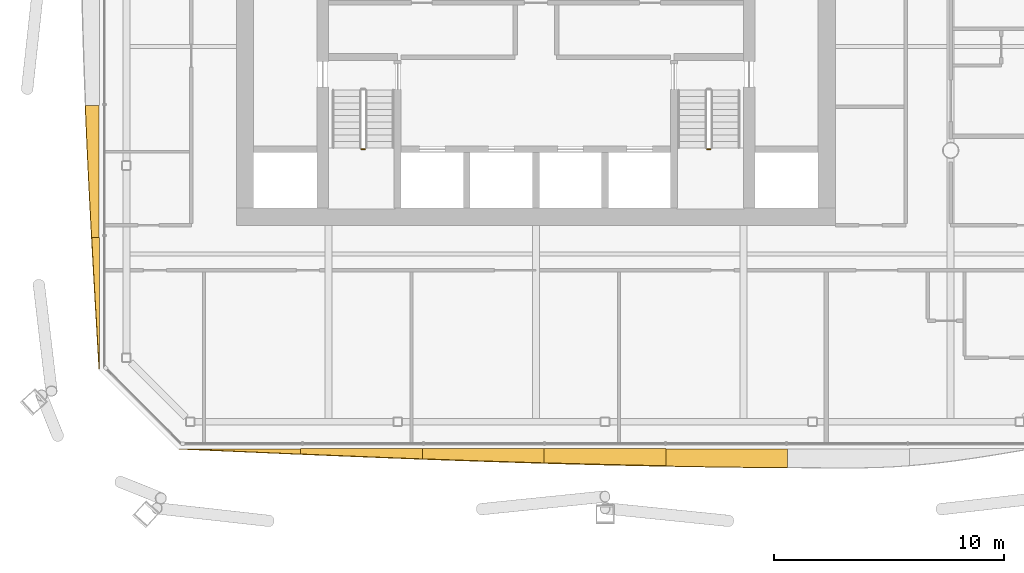
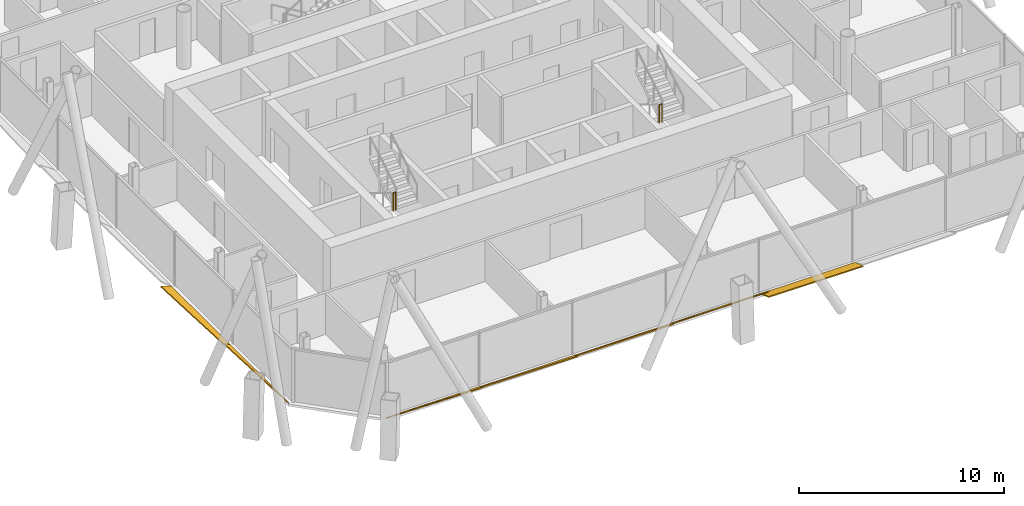
# One storey, part 18 of 20: 7 shading devices, 2 railings.
"""IFC4 building model written with IfcOpenShell, lengths in metres."""

from ifc_helpers import new_model, si_unit, direction, frame, origin, origin_2d, place, context, subcontext, project, spatial, polyline, circle, outline, extrude, material, layer, layer_set, type_object, element, save


model = new_model("IFC4")

# Units and contexts
model_context = context("Model", 3, precision=1e-05, world=origin(), true_north=direction((0.0, 1.0)))
body_context = subcontext(model_context, "Body", "Model", "MODEL_VIEW")
ifc_project = project(units=[si_unit("LENGTHUNIT", "METRE"), si_unit("AREAUNIT", "SQUARE_METRE"), si_unit("VOLUMEUNIT", "CUBIC_METRE"), si_unit("PLANEANGLEUNIT", "RADIAN"), si_unit("MASSUNIT", "GRAM", prefix="KILO")], contexts=[model_context])

# Site, building, storey
site_placement = place(None, origin())
site = spatial("IfcSite", under=ifc_project, at=site_placement, CompositionType="ELEMENT")
building_placement = place(site_placement, origin())
building = spatial("IfcBuilding", under=site, at=building_placement, Name="Tskaro Facet Tower", CompositionType="ELEMENT")
storey_placement = place(building_placement, frame((0.0, 0.0, 152.10009765625)))
storey = spatial("IfcBuildingStorey", under=building, at=storey_placement, Name="L37", CompositionType="ELEMENT", Elevation=152.10009765625)

# Shading devices
ifc_material_1 = material(Name="Bronze anodised aluminium 6063-T6", Category="aluminium")
ifc_layer = layer(ifc_material_1, 0.06005859375, Name="Bronze anodised aluminium 6063-T6")
ifc_layer_set = layer_set([ifc_layer], Name="Bronze anodised aluminium 6063-T6")
shading_device_type = type_object("IfcShadingDeviceType", Name="Bronze sun blade (FN1)", PredefinedType="USERDEFINED", material=ifc_layer_set)
shading_device_1_placement = place(storey_placement, frame((-15.49609375, -21.94873046875, 0.05419921875), z_axis=(3.7082686e-05, 0.423531978199, 0.905881152286), x_axis=(0.999999999312, -1.5705703e-05, -3.3592506e-05)))
element("IfcShadingDevice", 1, at=shading_device_1_placement, inside=storey, type_object=shading_device_type, Name="Fin blade south 1", ObjectType="FIN", PredefinedType="USERDEFINED", context=body_context, shape_type="SweptSolid", body=[
    extrude(outline(polyline([(0.0, 0.0), (5.2846679651164585, 1.7905151539322837e-20), (5.284667972385864, -0.2540527338205817), (4.624023435302733, -0.22313878669056625), (3.963623047578224, -0.19157571205498464), (3.3029785110275878, -0.16011603878133912), (2.6423339788438462, -0.12833180175491055), (1.9816894548614012, -0.09644416336654585), (1.3212890594680922, -0.06443876394927031), (0.6606445278168459, -0.032108800779211674), (0.0, 0.0)])), origin(), (0.0, 0.0, -1.0), 0.06005859375),
])
shading_device_2_placement = place(storey_placement, frame((-10.21142578125, -21.944091796875, 0.0517578125), z_axis=(1.774021e-06, 0.500302307269, 0.865850796233), x_axis=(0.999999999998, -8.87547e-07, -1.536038e-06)))
element("IfcShadingDevice", 2, at=shading_device_2_placement, inside=storey, type_object=shading_device_type, Name="Fin blade south 2", ObjectType="FIN", PredefinedType="USERDEFINED", context=body_context, shape_type="SweptSolid", body=[
    extrude(outline(polyline([(0.0, 0.0), (5.284667968741685, -5.595359856038387e-22), (5.284667968742549, -0.5109224019748582), (4.624023437517134, -0.48215418484964523), (3.963378906233354, -0.45284104489734744), (3.3027343752662217, -0.422860837999979), (2.6423339842740288, -0.39224646303896193), (1.9816894530318458, -0.36150994395995917), (1.3210449218896225, -0.32989496858133616), (0.6606445311557129, -0.29806860384816375), (-4.487381249786613e-11, -0.26590870564245594), (0.0, 0.0)])), origin(), (0.0, 0.0, -1.0), 0.06005859375),
])
shading_device_3_placement = place(storey_placement, frame((-4.9267578125, -21.939697265625, 0.049072265625), z_axis=(-6.431982e-06, 0.573630306733, 0.819114321176), x_axis=(0.999999999979, 3.68958e-06, 5.268529e-06)))
element("IfcShadingDevice", 3, at=shading_device_3_placement, inside=storey, type_object=shading_device_type, Name="Fin blade south 3", ObjectType="FIN", PredefinedType="USERDEFINED", context=body_context, shape_type="SweptSolid", body=[
    extrude(outline(polyline([(0.0, 0.0), (5.284423828015691, 2.2380405448387855e-21), (5.284423828433488, -0.7562094941290934), (4.62377929684311, -0.7320285401493312), (3.9633789060075313, -0.7069675559993859), (3.3027343750622493, -0.6813665672231879), (2.642089843861286, -0.6545455227328769), (1.9816894525143474, -0.6270444271547053), (1.3210449219584808, -0.5988033478679586), (0.660400390631643, -0.5698822174933514), (5.960539765942809e-11, -0.5400810569485613), (0.0, 0.0)])), origin(), (0.0, 0.0, -1.0), 0.06005859375),
])
shading_device_4_placement = place(storey_placement, frame((0.357666015625, -21.935546875, 0.0458984375), z_axis=(-2.424408e-06, 0.642813380392, 0.766022818187), x_axis=(0.999999999997, 1.558442e-06, 1.857152e-06)))
element("IfcShadingDevice", 4, at=shading_device_4_placement, inside=storey, type_object=shading_device_type, Name="Fin blade south 4", ObjectType="FIN", PredefinedType="USERDEFINED", context=body_context, shape_type="SweptSolid", body=[
    extrude(outline(polyline([(0.0, 0.0), (5.284667968734469, -1.1190719712076773e-21), (5.2846679688159455, -0.9752867637965267), (4.62402343740292, -0.9586566428777836), (3.9633789060786655, -0.9404636880692647), (3.302978515614035, -0.9213958076710596), (2.6423339842326956, -0.9009521106726754), (1.9816894534664597, -0.879446470795008), (1.3212890622725564, -0.8569390488963557), (0.6606445314492362, -0.8331826668288229), (2.665538549382311e-11, -0.8085814396007531), (0.0, 0.0)])), origin(), (0.0, 0.0, -1.0), 0.06005859375),
])
shading_device_5_placement = place(storey_placement, frame((5.642333984375, -21.953369140625, 0.056396484375), z_axis=(3.980873e-06, 0.341857197912, 0.93975191206), x_axis=(0.999999999992, -1.36089e-06, -3.741033e-06)))
element("IfcShadingDevice", 5, at=shading_device_5_placement, inside=storey, type_object=shading_device_type, Name="Fin blade south 5", ObjectType="FIN", PredefinedType="USERDEFINED", context=body_context, shape_type="SweptSolid", body=[
    extrude(outline(polyline([(0.0, 0.0), (5.284423828083128, 0.0), (5.284423827838629, -0.8682493268537039), (4.624023437548347, -0.8627635730117292), (3.9633789062174114, -0.8562766314631668), (3.3027343744708193, -0.8487885022080166), (2.6423339847602456, -0.8401322627863594), (1.9816894530956795, -0.8305582968880741), (1.3210449219287959, -0.8198996820532415), (0.6606445315523432, -0.8079269866627043), (-4.458531779269193e-10, -0.7952659964146962), (0.0, 0.0)])), origin(), (0.0, 0.0, -1.0), 0.06005859375),
])
shading_device_6_placement = place(storey_placement, frame((-18.953369140625, -7.042236328125, 0.056396484375), z_axis=(0.341774916781, 3.195205e-06, 0.93978183971), x_axis=(1.092041e-06, -0.999999999995, 3.002795e-06)))
element("IfcShadingDevice", 6, at=shading_device_6_placement, inside=storey, type_object=shading_device_type, Name="Fin blade west 5", ObjectType="FIN", PredefinedType="USERDEFINED", context=body_context, shape_type="SweptSolid", body=[
    extrude(outline(polyline([(0.0, 0.0), (5.727050781220765, 0.0), (5.72705078151635, -0.34762511865524753), (5.010986327590838, -0.3883197339323695), (4.2951660156233835, -0.4278671545809332), (3.579345703256165, -0.46632993724306493), (2.8635253907557954, -0.5034786429930528), (2.1477050778556643, -0.5395427107566088), (1.4318847658220972, -0.574146703824102), (0.7160644531888865, -0.6071237399119471), (6.41375312827157e-11, -0.6385572601619369), (0.0, 0.0)])), origin(), (0.0, 0.0, -1.0), 0.06005859375),
])
shading_device_7_placement = place(storey_placement, frame((-18.94873046875, -12.769287109375, 0.05419921875), z_axis=(0.423059243023, 2.726799e-05, 0.906102023036), x_axis=(1.1535975e-05, -0.999999999628, 2.4707581e-05)))
element("IfcShadingDevice", 7, at=shading_device_7_placement, inside=storey, type_object=shading_device_type, Name="Fin blade west 6", ObjectType="FIN", PredefinedType="USERDEFINED", context=body_context, shape_type="SweptSolid", body=[
    extrude(outline(polyline([(0.0, 0.0), (5.726806638495936, 0.0), (5.010742183786253, -0.046312081902952024), (4.2949218725178815, -0.09240294749160412), (3.5791015640659087, -0.1382725967659563), (2.8632812495818123, -0.1840389600922664), (2.147460937514792, -0.22903838852763467), (1.431640625048448, -0.273492098386361), (0.7158203121827801, -0.31740008966844546), (-4.297935753143506e-09, -0.36043786011154605), (0.0, 0.0)])), origin(), (0.0, 0.0, -1.0), 0.06005859375),
])

# Railings
ifc_material_2 = material(Name="Stainless steel", Category="steel")
railing_type = type_object("IfcRailingType", Name="RL-GUARD-1100", PredefinedType="GUARDRAIL", material=ifc_material_2)
for number, where, name in (
    (8, (-7.574951171875, -8.945068359375, 1.699951171875), "L37 ST-1 stair guard 2"),
    (9, (7.425048828125, -8.945068359375, 1.699951171875), "L37 ST-2 stair guard 2"),
):
    element("IfcRailing", number, at=place(storey_placement, frame(where)), inside=storey, type_object=railing_type, Name=name, PredefinedType="GUARDRAIL", context=body_context, shape_type="SweptSolid", body=[
        extrude(circle(Radius=0.02392578125, at=origin_2d()), frame((0.0, 0.0, 1.076171875), z_axis=(1.0, 0.0, 0.0), x_axis=(0.0, 1.0, 0.0)), (0.0, 0.0, 1.0), 0.14990234375),
        extrude(circle(Radius=0.02099609375, at=origin_2d()), origin(), (0.0, 0.0, 1.0), 1.052001953125),
        extrude(circle(Radius=0.02099609375, at=origin_2d()), frame((0.14990234375, 0.0, 0.0)), (0.0, 0.0, 1.0), 1.052001953125),
    ])

save(model, "model.ifc")
